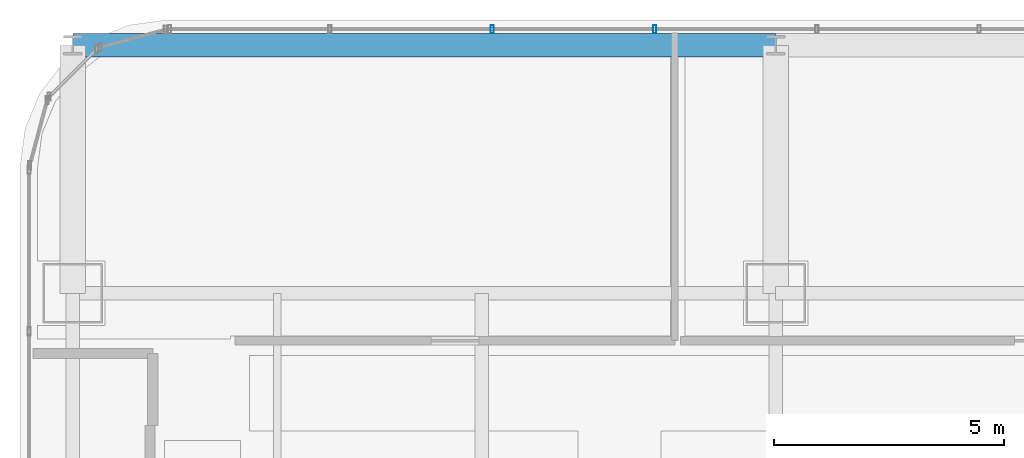
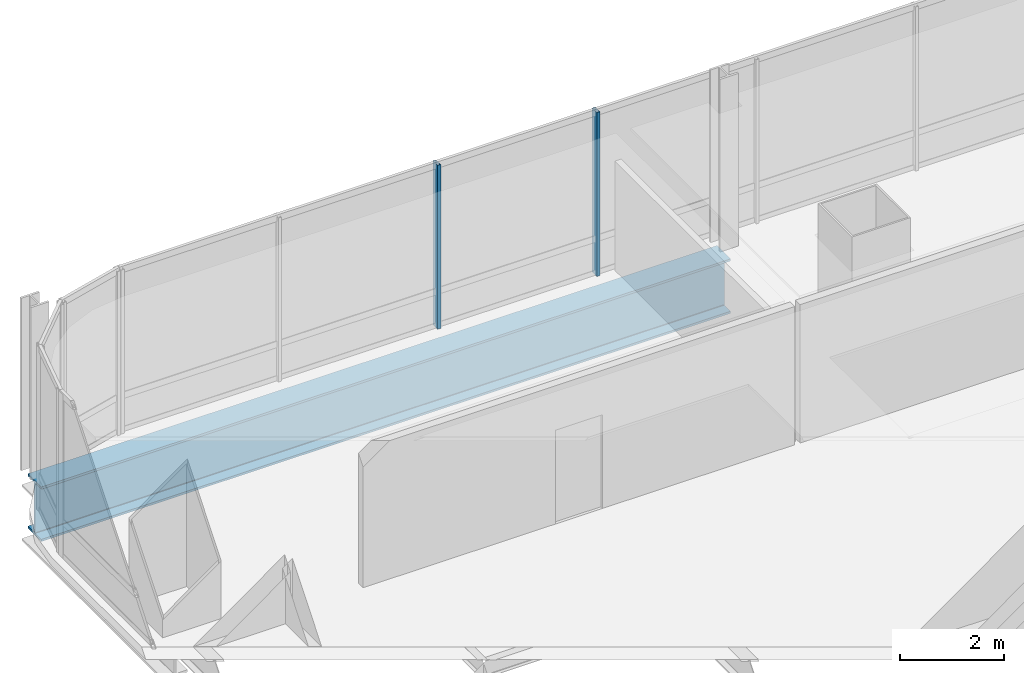
# One storey, part 25 of 42: 2 members, 1 beam, 1 element without a shape of its own.
"""IFC4 building model written with IfcOpenShell, lengths in metres."""

from ifc_helpers import new_model, si_unit, direction, frame, origin, origin_2d, place, context, subcontext, project, spatial, hollow_rectangle, i_section, extrude, material, material_profile, profile_set, type_object, element, aggregate, save


model = new_model("IFC4")

# Units and contexts
model_context = context("Model", 3, precision=1e-05, world=origin(), true_north=direction((0.0, 1.0)))
body_context = subcontext(model_context, "Body", "Model", "MODEL_VIEW")
ifc_project = project(units=[si_unit("LENGTHUNIT", "METRE"), si_unit("AREAUNIT", "SQUARE_METRE"), si_unit("VOLUMEUNIT", "CUBIC_METRE"), si_unit("PLANEANGLEUNIT", "RADIAN"), si_unit("MASSUNIT", "GRAM", prefix="KILO")], contexts=[model_context])

# Site, building, storey
site_placement = place(None, origin())
site = spatial("IfcSite", under=ifc_project, at=site_placement, CompositionType="ELEMENT")
building_placement = place(site_placement, origin())
building = spatial("IfcBuilding", under=site, at=building_placement, Name="Punatoya Terracotta Tower", CompositionType="ELEMENT")
storey_placement = place(building_placement, frame((0.0, 0.0, 255.449951171875)))
storey = spatial("IfcBuildingStorey", under=building, at=storey_placement, Name="L60", CompositionType="ELEMENT", Elevation=255.449951171875)

# Beam
ifc_material_1 = material(Name="Steel S460", Category="steel")
ifc_material_profile_1 = material_profile(ifc_material_1, i_section(OverallWidth=0.52001953125, OverallDepth=1.280029296875, WebThickness=0.031982421875, FlangeThickness=0.050048828125, FilletRadius=0.01806640625, at=origin_2d()))
ifc_profile_set_1 = profile_set([ifc_material_profile_1], Name="Steel S460")
beam_type = type_object("IfcBeamType", Name="BM-TG-NCK", PredefinedType="BEAM", material=ifc_profile_set_1)
beam_placement = place(storey_placement, frame((-19.10009765625, 22.89990234375, -0.83984375), z_axis=(1.0, 0.0, 0.0), x_axis=(0.0, 1.0, 0.0)))
element("IfcBeam", 1, at=beam_placement, inside=storey, type_object=beam_type, Name="BM-L60-PER-N1", PredefinedType="BEAM", context=body_context, shape_type="SweptSolid", body=[
    extrude(i_section(OverallWidth=0.52001953125, OverallDepth=1.280029296875, WebThickness=0.031982421875, FlangeThickness=0.050048828125, FilletRadius=0.01806640625, at=origin_2d()), origin(), (0.0, 0.0, 1.0), 15.300048828125),
])

# Curtain wall, members
ifc_material_2 = material(Name="Aluminium 6063-T6 + Double Low-E Glass", Category="aluminium")
curtain_wall_type = type_object("IfcCurtainWallType", Name="CW-M3", PredefinedType="NOTDEFINED", material=ifc_material_2)
curtain_wall_placement = place(storey_placement, origin())
curtain_wall = element("IfcCurtainWall", 2, at=curtain_wall_placement, inside=storey, type_object=curtain_wall_type, Name="L60 Curtain Wall CW-L60-N09-1", PredefinedType="NOTDEFINED")
ifc_material_3 = material(Name="Aluminium 6063-T6", Category="aluminium")
ifc_material_profile_2 = material_profile(ifc_material_3, hollow_rectangle(XDim=0.070068359375, YDim=0.179931640625, WallThickness=0.00390625, at=origin_2d()))
ifc_profile_set_2 = profile_set([ifc_material_profile_2], Name="Aluminium 6063-T6")
member_type = type_object("IfcMemberType", Name="CW-MUL-M3", PredefinedType="MULLION", material=ifc_profile_set_2)
member_1_placement = place(storey_placement, frame((-6.43505859375, 23.25, 0.0), z_axis=(0.0, 0.0, 1.0), x_axis=(1.0, 0.0, 0.0)))
member_1 = element("IfcMember", 3, at=member_1_placement, type_object=member_type, Name="CW-L60-N09-1 Mullion 08", PredefinedType="MULLION", context=body_context, shape_type="SweptSolid", body=[
    extrude(hollow_rectangle(XDim=0.070068359375, YDim=0.179931640625, WallThickness=0.00390625, at=origin_2d()), origin(), (0.0, 0.0, 1.0), 3.85009765625),
])
member_2_placement = place(storey_placement, frame((-9.968994140625, 23.25, 0.0), z_axis=(0.0, 0.0, 1.0), x_axis=(1.0, 0.0, 0.0)))
member_2 = element("IfcMember", 4, at=member_2_placement, type_object=member_type, Name="CW-L60-N09-1 Mullion 09", PredefinedType="MULLION", context=body_context, shape_type="SweptSolid", body=[
    extrude(hollow_rectangle(XDim=0.070068359375, YDim=0.179931640625, WallThickness=0.00390625, at=origin_2d()), origin(), (0.0, 0.0, 1.0), 3.85009765625),
])
aggregate(curtain_wall, [member_1, member_2])

save(model, "model.ifc")
